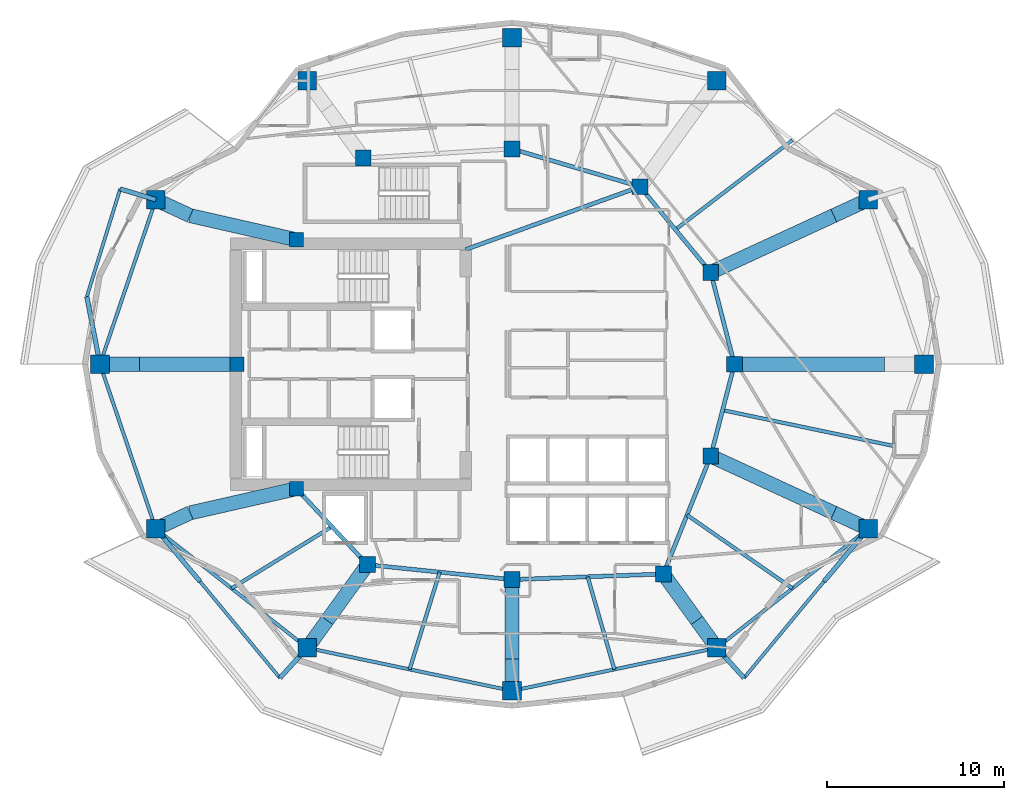
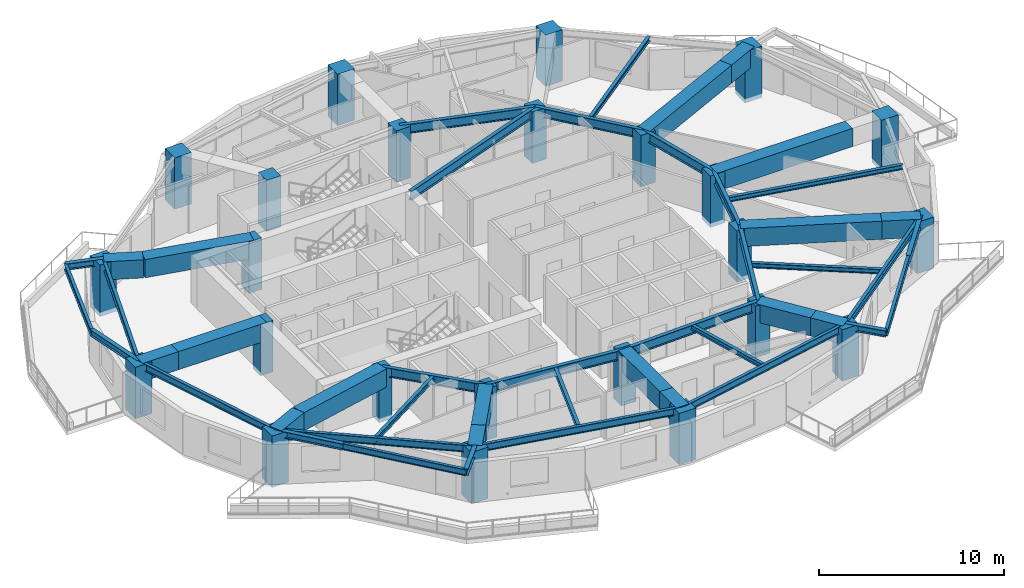
# One storey, part 1 of 12: 47 beams, 24 columns.
"""IFC4 building model written with IfcOpenShell, lengths in metres."""

from ifc_helpers import new_model, si_unit, direction, frame, origin, origin_2d, place, context, subcontext, project, spatial, rectangle, i_section, extrude, material, material_profile, profile_set, type_object, element, save


model = new_model("IFC4")

# Units and contexts
model_context = context("Model", 3, precision=1e-05, world=origin(), true_north=direction((0.0, 1.0)))
body_context = subcontext(model_context, "Body", "Model", "MODEL_VIEW")
ifc_project = project(units=[si_unit("LENGTHUNIT", "METRE"), si_unit("AREAUNIT", "SQUARE_METRE"), si_unit("VOLUMEUNIT", "CUBIC_METRE"), si_unit("PLANEANGLEUNIT", "RADIAN"), si_unit("MASSUNIT", "GRAM", prefix="KILO")], contexts=[model_context])

# Site, building, storey
site_placement = place(None, origin())
site = spatial("IfcSite", under=ifc_project, at=site_placement, CompositionType="ELEMENT")
building_placement = place(site_placement, origin())
building = spatial("IfcBuilding", under=site, at=building_placement, Name="Kolvaren Gate Tower and Convention Centre", CompositionType="ELEMENT")
storey_placement = place(building_placement, frame((0.0, 0.0, 139.300048828125)))
storey = spatial("IfcBuildingStorey", under=building, at=storey_placement, Name="L35", CompositionType="ELEMENT", Elevation=139.300048828125)

# Columns
ifc_material_1 = material(Name="Concrete C60/75", Category="concrete")
ifc_material_profile_1 = material_profile(ifc_material_1, rectangle(XDim=1.050048828125, YDim=1.050048828125, at=origin_2d()), Name="RC-COL-1050X1050")
ifc_profile_set_1 = profile_set([ifc_material_profile_1], Name="Concrete C60/75")
column_type_1 = type_object("IfcColumnType", Name="STR-COL-RC1050", PredefinedType="COLUMN", material=ifc_profile_set_1)
for number, where, z_axis, x_axis, name in (
    (1, (53.46240234375, 27.0, -0.27001953125), (0.0, 0.0, 1.0), (1.0, 0.0, 0.0), "Tower L35 Perimeter Supercolumn TP-01"),
    (2, (50.30029296875, 36.318603515625, -0.27001953125), (0.0, 0.0, 1.0), (1.0, 0.0, 0.0), "Tower L35 Perimeter Supercolumn TP-02"),
    (3, (41.721435546875, 43.068359375, -0.27001953125), (0.0, 0.0, 1.0), (1.0, 0.0, 0.0), "Tower L35 Perimeter Supercolumn TP-03"),
    (4, (30.125, 45.5, -0.27001953125), (0.0, 0.0, 1.0), (1.0, 0.0, 0.0), "Tower L35 Perimeter Supercolumn TP-04"),
    (5, (18.52880859375, 43.068359375, -0.27001953125), (0.0, 0.0, 1.0), (1.0, 0.0, 0.0), "Tower L35 Perimeter Supercolumn TP-05"),
    (6, (9.94970703125, 36.318603515625, -0.27001953125), (0.0, 0.0, 1.0), (1.0, 0.0, 0.0), "Tower L35 Perimeter Supercolumn TP-06"),
    (7, (6.78759765625, 27.0, -0.27001953125), (0.0, 0.0, 1.0), (1.0, 0.0, 0.0), "Tower L35 Perimeter Supercolumn TP-07"),
    (8, (9.94970703125, 17.681396484375, -0.27001953125), (0.0, 0.0, 1.0), (1.0, 0.0, 0.0), "Tower L35 Perimeter Supercolumn TP-08"),
    (9, (18.528564453125, 10.931640625, -0.27001953125), (0.0, 0.0, 1.0), (1.0, 0.0, 0.0), "Tower L35 Perimeter Supercolumn TP-09"),
    (10, (30.125, 8.5, -0.27001953125), (0.0, 0.0, 1.0), (1.0, 0.0, 0.0), "Tower L35 Perimeter Supercolumn TP-10"),
    (11, (41.721435546875, 10.931640625, -0.27001953125), (0.0, 0.0, 1.0), (1.0, 0.0, 0.0), "Tower L35 Perimeter Supercolumn TP-11"),
    (12, (50.30029296875, 17.681396484375, -0.27001953125), (0.0, 0.0, 1.0), (1.0, 0.0, 0.0), "Tower L35 Perimeter Supercolumn TP-12"),
):
    element("IfcColumn", number, at=place(storey_placement, frame(where, z_axis=z_axis, x_axis=x_axis)), inside=storey, type_object=column_type_1, Name=name, PredefinedType="COLUMN", context=body_context, shape_type="SweptSolid", body=[
        extrude(rectangle(XDim=1.050048828125, YDim=1.050048828125, at=origin_2d()), origin(), (0.0, 0.0, 1.0), 3.39990234375),
    ])
ifc_material_profile_2 = material_profile(ifc_material_1, rectangle(XDim=0.89990234375, YDim=0.89990234375, at=origin_2d()), Name="RC-COL-900X900")
ifc_profile_set_2 = profile_set([ifc_material_profile_2], Name="Concrete C60/75")
column_type_2 = type_object("IfcColumnType", Name="STR-COL-RC900", PredefinedType="COLUMN", material=ifc_profile_set_2)
for number, where, z_axis, x_axis, name in (
    (13, (42.72509765625, 27.0, -0.27001953125), (0.0, 0.0, 1.0), (1.0, 0.0, 0.0), "Tower L35 Interior Column TI-01"),
    (14, (41.382080078125, 32.199462890625, -0.27001953125), (0.0, 0.0, 1.0), (1.0, 0.0, 0.0), "Tower L35 Interior Column TI-02"),
    (15, (37.381591796875, 37.054931640625, -0.27001953125), (0.0, 0.0, 1.0), (1.0, 0.0, 0.0), "Tower L35 Interior Column TI-03"),
    (16, (30.125, 39.199951171875, -0.27001953125), (0.0, 0.0, 1.0), (1.0, 0.0, 0.0), "Tower L35 Interior Column TI-04"),
    (17, (21.697998046875, 38.6767578125, -0.27001953125), (0.0, 0.0, 1.0), (1.0, 0.0, 0.0), "Tower L35 Interior Column TI-05"),
    (18, (21.93212890625, 15.647705078125, -0.27001953125), (0.0, 0.0, 1.0), (1.0, 0.0, 0.0), "Tower L35 Interior Column TI-06"),
    (19, (30.125, 14.800048828125, -0.27001953125), (0.0, 0.0, 1.0), (1.0, 0.0, 0.0), "Tower L35 Interior Column TI-07"),
    (20, (38.6982421875, 15.12060546875, -0.27001953125), (0.0, 0.0, 1.0), (1.0, 0.0, 0.0), "Tower L35 Interior Column TI-08"),
    (21, (41.382080078125, 21.800537109375, -0.27001953125), (0.0, 0.0, 1.0), (1.0, 0.0, 0.0), "Tower L35 Interior Column TI-09"),
):
    element("IfcColumn", number, at=place(storey_placement, frame(where, z_axis=z_axis, x_axis=x_axis)), inside=storey, type_object=column_type_2, Name=name, PredefinedType="COLUMN", context=body_context, shape_type="SweptSolid", body=[
        extrude(rectangle(XDim=0.89990234375, YDim=0.89990234375, at=origin_2d()), origin(), (0.0, 0.0, 1.0), 3.39990234375),
    ])
ifc_material_profile_3 = material_profile(ifc_material_1, rectangle(XDim=0.800048828125, YDim=0.800048828125, at=origin_2d()), Name="RC-COL-800X800")
ifc_profile_set_3 = profile_set([ifc_material_profile_3], Name="Concrete C60/75")
column_type_3 = type_object("IfcColumnType", Name="STR-PIL-RC800", PredefinedType="PILASTER", material=ifc_profile_set_3)
for number, where, z_axis, x_axis, name in (
    (22, (17.9140625, 34.050048828125, -0.27001953125), (0.0, 0.0, 1.0), (1.0, 0.0, 0.0), "Tower L35 Core Boundary Pilaster TC-05"),
    (23, (14.550048828125, 27.0, -0.27001953125), (0.0, 0.0, 1.0), (1.0, 0.0, 0.0), "Tower L35 Core Boundary Pilaster TC-06"),
    (24, (17.9140625, 19.949951171875, -0.27001953125), (0.0, 0.0, 1.0), (1.0, 0.0, 0.0), "Tower L35 Core Boundary Pilaster TC-07"),
):
    element("IfcColumn", number, at=place(storey_placement, frame(where, z_axis=z_axis, x_axis=x_axis)), inside=storey, type_object=column_type_3, Name=name, PredefinedType="PILASTER", context=body_context, shape_type="SweptSolid", body=[
        extrude(rectangle(XDim=0.800048828125, YDim=0.800048828125, at=origin_2d()), origin(), (0.0, 0.0, 1.0), 3.39990234375),
    ])

# Beams
ifc_material_2 = material(Name="Structural steel ASTM A992 Grade 345 MPa", Category="steel")
ifc_material_profile_4 = material_profile(ifc_material_2, i_section(OverallWidth=0.260009765625, OverallDepth=0.419921875, WebThickness=0.013427734375, FlangeThickness=0.0224609375, at=origin_2d()), Name="W410X132")
ifc_profile_set_4 = profile_set([ifc_material_profile_4], Name="Structural steel ASTM A992 Grade 345 MPa")
beam_type_1 = type_object("IfcBeamType", Name="STR-BM-W410X132", PredefinedType="BEAM", material=ifc_profile_set_4)
beam_1_placement = place(storey_placement, frame((9.94970703125, 36.318603515625, 2.92041015625), z_axis=(-0.956945492559, 0.290267676932, 0.0), x_axis=(-0.290267676932, -0.956945492559, 0.0)))
element("IfcBeam", 25, at=beam_1_placement, inside=storey, type_object=beam_type_1, Name="Tower L36 Planted Balcony Outrigger Cantilever BC-2A", PredefinedType="BEAM", context=body_context, shape_type="SweptSolid", body=[
    extrude(i_section(OverallWidth=0.260009765625, OverallDepth=0.419921875, WebThickness=0.013427734375, FlangeThickness=0.0224609375, at=origin_2d()), origin(), (0.0, 0.0, 1.0), 2.108642578125),
])
for number, where, z_axis, x_axis, name in (
    (26, (6.78759765625, 27.0, 2.92041015625), (-0.191057318066, 0.981578881809, 0.0), (-0.981578881809, -0.191057318066, 0.0), "Tower L36 Planted Balcony Outrigger Cantilever BC-2B"),
    (27, (9.94970703125, 17.681396484375, 2.92041015625), (0.642343120753, -0.766417193975, 0.0), (0.766417193975, 0.642343120753, 0.0), "Tower L36 Planted Balcony Outrigger Cantilever BC-3A"),
):
    element("IfcBeam", number, at=place(storey_placement, frame(where, z_axis=z_axis, x_axis=x_axis)), inside=storey, type_object=beam_type_1, Name=name, PredefinedType="BEAM", context=body_context, shape_type="SweptSolid", body=[
        extrude(i_section(OverallWidth=0.260009765625, OverallDepth=0.419921875, WebThickness=0.013427734375, FlangeThickness=0.0224609375, at=origin_2d()), origin(), (0.0, 0.0, 1.0), 3.89990234375),
    ])
for number, where, z_axis, x_axis, name in (
    (28, (18.528564453125, 10.931640625, 2.92041015625), (-0.673596981718, -0.739098847395, 0.0), (0.739098847395, -0.673596981718, 0.0), "Tower L36 Planted Balcony Outrigger Cantilever BC-3B"),
    (29, (41.721435546875, 10.931640625, 2.92041015625), (0.673596981718, -0.739098847395, 0.0), (0.739098847395, 0.673596981718, 0.0), "Tower L36 Planted Balcony Outrigger Cantilever BC-4A"),
):
    element("IfcBeam", number, at=place(storey_placement, frame(where, z_axis=z_axis, x_axis=x_axis)), inside=storey, type_object=beam_type_1, Name=name, PredefinedType="BEAM", context=body_context, shape_type="SweptSolid", body=[
        extrude(i_section(OverallWidth=0.260009765625, OverallDepth=0.419921875, WebThickness=0.013427734375, FlangeThickness=0.0224609375, at=origin_2d()), origin(), (0.0, 0.0, 1.0), 2.2998046875),
    ])
beam_2_placement = place(storey_placement, frame((50.30029296875, 17.681396484375, 2.92041015625), z_axis=(-0.642343120753, -0.766417193975, 0.0), x_axis=(0.766417193975, -0.642343120753, 0.0)))
element("IfcBeam", 30, at=beam_2_placement, inside=storey, type_object=beam_type_1, Name="Tower L36 Planted Balcony Outrigger Cantilever BC-4B", PredefinedType="BEAM", context=body_context, shape_type="SweptSolid", body=[
    extrude(i_section(OverallWidth=0.260009765625, OverallDepth=0.419921875, WebThickness=0.013427734375, FlangeThickness=0.0224609375, at=origin_2d()), origin(), (0.0, 0.0, 1.0), 3.89990234375),
])
ifc_material_profile_5 = material_profile(ifc_material_2, i_section(OverallWidth=0.22998046875, OverallDepth=0.616943359375, WebThickness=0.01318359375, FlangeThickness=0.022216796875, at=origin_2d()), Name="W610X140")
ifc_profile_set_5 = profile_set([ifc_material_profile_5], Name="Structural steel ASTM A992 Grade 345 MPa")
beam_type_2 = type_object("IfcBeamType", Name="STR-BM-W610X140", PredefinedType="BEAM", material=ifc_profile_set_5)
beam_3_placement = place(storey_placement, frame((42.72509765625, 27.0, 2.821533203125), z_axis=(-0.250091133936, -0.968222301296, 0.0), x_axis=(0.968222301296, -0.250091133936, 0.0)))
element("IfcBeam", 31, at=beam_3_placement, inside=storey, type_object=beam_type_2, Name="Tower L35 Primary Ring Girder G-01", PredefinedType="BEAM", context=body_context, shape_type="SweptSolid", body=[
    extrude(i_section(OverallWidth=0.22998046875, OverallDepth=0.616943359375, WebThickness=0.01318359375, FlangeThickness=0.022216796875, at=origin_2d()), origin(), (0.0, 0.0, 1.0), 5.3701171875),
])
beam_4_placement = place(storey_placement, frame((41.382080078125, 32.199462890625, 2.821533203125), z_axis=(-0.635884066011, 0.771784590798, 0.0), x_axis=(-0.771784590798, -0.635884066011, 0.0)))
element("IfcBeam", 32, at=beam_4_placement, inside=storey, type_object=beam_type_2, Name="Tower L35 Primary Ring Girder G-02", PredefinedType="BEAM", context=body_context, shape_type="SweptSolid", body=[
    extrude(i_section(OverallWidth=0.22998046875, OverallDepth=0.616943359375, WebThickness=0.01318359375, FlangeThickness=0.022216796875, at=origin_2d()), origin(), (0.0, 0.0, 1.0), 6.291259765625),
])
beam_5_placement = place(storey_placement, frame((37.381591796875, 37.054931640625, 2.821533203125), z_axis=(-0.958980837827, 0.283470902706, 0.0), x_axis=(-0.283470902706, -0.958980837827, 0.0)))
element("IfcBeam", 33, at=beam_5_placement, inside=storey, type_object=beam_type_2, Name="Tower L35 Primary Ring Girder G-03", PredefinedType="BEAM", context=body_context, shape_type="SweptSolid", body=[
    extrude(i_section(OverallWidth=0.22998046875, OverallDepth=0.616943359375, WebThickness=0.01318359375, FlangeThickness=0.022216796875, at=origin_2d()), origin(), (0.0, 0.0, 1.0), 7.56689453125),
])
beam_6_placement = place(storey_placement, frame((17.9140625, 19.949951171875, 2.821533203125), z_axis=(0.682557592987, -0.730831808459, 0.0), x_axis=(0.730831808459, 0.682557592987, 0.0)))
element("IfcBeam", 34, at=beam_6_placement, inside=storey, type_object=beam_type_2, Name="Tower L35 Primary Ring Girder G-06", PredefinedType="BEAM", context=body_context, shape_type="SweptSolid", body=[
    extrude(i_section(OverallWidth=0.22998046875, OverallDepth=0.616943359375, WebThickness=0.01318359375, FlangeThickness=0.022216796875, at=origin_2d()), origin(), (0.0, 0.0, 1.0), 5.88671875),
])
beam_7_placement = place(storey_placement, frame((21.93212890625, 15.647705078125, 2.821533203125), z_axis=(0.994690329115, -0.102913308978, 0.0), x_axis=(0.102913308978, 0.994690329115, 0.0)))
element("IfcBeam", 35, at=beam_7_placement, inside=storey, type_object=beam_type_2, Name="Tower L35 Primary Ring Girder G-07", PredefinedType="BEAM", context=body_context, shape_type="SweptSolid", body=[
    extrude(i_section(OverallWidth=0.22998046875, OverallDepth=0.616943359375, WebThickness=0.01318359375, FlangeThickness=0.022216796875, at=origin_2d()), origin(), (0.0, 0.0, 1.0), 8.236572265625),
])
beam_8_placement = place(storey_placement, frame((30.125, 14.800048828125, 2.821533203125), z_axis=(0.999301712453, 0.037364254142, 0.0), x_axis=(-0.037364254142, 0.999301712453, 0.0)))
element("IfcBeam", 36, at=beam_8_placement, inside=storey, type_object=beam_type_2, Name="Tower L35 Primary Ring Girder G-08", PredefinedType="BEAM", context=body_context, shape_type="SweptSolid", body=[
    extrude(i_section(OverallWidth=0.22998046875, OverallDepth=0.616943359375, WebThickness=0.01318359375, FlangeThickness=0.022216796875, at=origin_2d()), origin(), (0.0, 0.0, 1.0), 8.579345703125),
])
beam_9_placement = place(storey_placement, frame((38.6982421875, 15.12060546875, 2.821533203125), z_axis=(0.372811100169, 0.927907260232, 0.0), x_axis=(-0.927907260232, 0.372811100169, 0.0)))
element("IfcBeam", 37, at=beam_9_placement, inside=storey, type_object=beam_type_2, Name="Tower L35 Primary Ring Girder G-09", PredefinedType="BEAM", context=body_context, shape_type="SweptSolid", body=[
    extrude(i_section(OverallWidth=0.22998046875, OverallDepth=0.616943359375, WebThickness=0.01318359375, FlangeThickness=0.022216796875, at=origin_2d()), origin(), (0.0, 0.0, 1.0), 7.198974609375),
])
beam_10_placement = place(storey_placement, frame((27.5, 33.5, 2.821533203125), z_axis=(0.940961479908, 0.338513653093, 0.0), x_axis=(-0.338513653093, 0.940961479908, 0.0)))
element("IfcBeam", 38, at=beam_10_placement, inside=storey, type_object=beam_type_2, Name="Tower L35 Primary Ring Girder G-10", PredefinedType="BEAM", context=body_context, shape_type="SweptSolid", body=[
    extrude(i_section(OverallWidth=0.22998046875, OverallDepth=0.616943359375, WebThickness=0.01318359375, FlangeThickness=0.022216796875, at=origin_2d()), origin(), (0.0, 0.0, 1.0), 10.501708984375),
])
beam_11_placement = place(storey_placement, frame((42.72509765625, 27.0, 2.821533203125), z_axis=(-0.250091133936, 0.968222301296, 0.0), x_axis=(-0.968222301296, -0.250091133936, 0.0)))
element("IfcBeam", 39, at=beam_11_placement, inside=storey, type_object=beam_type_2, Name="Tower L35 Primary Ring Girder G-12", PredefinedType="BEAM", context=body_context, shape_type="SweptSolid", body=[
    extrude(i_section(OverallWidth=0.22998046875, OverallDepth=0.616943359375, WebThickness=0.01318359375, FlangeThickness=0.022216796875, at=origin_2d()), origin(), (0.0, 0.0, 1.0), 5.3701171875),
])
ifc_material_profile_6 = material_profile(ifc_material_2, i_section(OverallWidth=0.205078125, OverallDepth=0.31005859375, WebThickness=0.009521484375, FlangeThickness=0.016357421875, at=origin_2d()), Name="W310X74")
ifc_profile_set_6 = profile_set([ifc_material_profile_6], Name="Structural steel ASTM A992 Grade 345 MPa")
beam_type_3 = type_object("IfcBeamType", Name="STR-JS-W310X74", PredefinedType="JOIST", material=ifc_profile_set_6)
beam_12_placement = place(storey_placement, frame((39.3818359375, 34.627197265625, 2.974853515625), z_axis=(0.79454218325, 0.607208958297, 0.0), x_axis=(-0.607208958297, 0.79454218325, 0.0)))
element("IfcBeam", 40, at=beam_12_placement, inside=storey, type_object=beam_type_3, Name="Tower L35 Secondary Composite Floor Joist J-02.1", PredefinedType="JOIST", context=body_context, shape_type="SweptSolid", body=[
    extrude(i_section(OverallWidth=0.205078125, OverallDepth=0.31005859375, WebThickness=0.009521484375, FlangeThickness=0.016357421875, at=origin_2d()), origin(), (0.0, 0.0, 1.0), 8.34326171875),
])
beam_13_placement = place(storey_placement, frame((19.923095703125, 17.798828125, 2.974853515625), z_axis=(-0.852013723702, -0.523519450091, 0.0), x_axis=(0.523519450091, -0.852013723702, 0.0)))
element("IfcBeam", 41, at=beam_13_placement, inside=storey, type_object=beam_type_3, Name="Tower L35 Secondary Composite Floor Joist J-08.1", PredefinedType="JOIST", context=body_context, shape_type="SweptSolid", body=[
    extrude(i_section(OverallWidth=0.205078125, OverallDepth=0.31005859375, WebThickness=0.009521484375, FlangeThickness=0.016357421875, at=origin_2d()), origin(), (0.0, 0.0, 1.0), 6.671142578125),
])
beam_14_placement = place(storey_placement, frame((26.028564453125, 15.223876953125, 2.974853515625), z_axis=(-0.295174836894, -0.95544325612, 0.0), x_axis=(0.95544325612, -0.295174836894, 0.0)))
element("IfcBeam", 42, at=beam_14_placement, inside=storey, type_object=beam_type_3, Name="Tower L35 Secondary Composite Floor Joist J-09.1", PredefinedType="JOIST", context=body_context, shape_type="SweptSolid", body=[
    extrude(i_section(OverallWidth=0.205078125, OverallDepth=0.31005859375, WebThickness=0.009521484375, FlangeThickness=0.016357421875, at=origin_2d()), origin(), (0.0, 0.0, 1.0), 5.764892578125),
])
beam_15_placement = place(storey_placement, frame((34.41162109375, 14.960205078125, 2.974853515625), z_axis=(0.27693589933, -0.960888395009, 0.0), x_axis=(0.960888395009, 0.27693589933, 0.0)))
element("IfcBeam", 43, at=beam_15_placement, inside=storey, type_object=beam_type_3, Name="Tower L35 Secondary Composite Floor Joist J-10.1", PredefinedType="JOIST", context=body_context, shape_type="SweptSolid", body=[
    extrude(i_section(OverallWidth=0.205078125, OverallDepth=0.31005859375, WebThickness=0.009521484375, FlangeThickness=0.016357421875, at=origin_2d()), origin(), (0.0, 0.0, 1.0), 5.457763671875),
])
beam_16_placement = place(storey_placement, frame((40.040283203125, 18.46044921875, 2.974853515625), z_axis=(0.820871677882, -0.571112675792, 0.0), x_axis=(0.571112675792, 0.820871677882, 0.0)))
element("IfcBeam", 44, at=beam_16_placement, inside=storey, type_object=beam_type_3, Name="Tower L35 Secondary Composite Floor Joist J-11.1", PredefinedType="JOIST", context=body_context, shape_type="SweptSolid", body=[
    extrude(i_section(OverallWidth=0.205078125, OverallDepth=0.31005859375, WebThickness=0.009521484375, FlangeThickness=0.016357421875, at=origin_2d()), origin(), (0.0, 0.0, 1.0), 7.273681640625),
])
beam_17_placement = place(storey_placement, frame((42.0537109375, 24.400146484375, 2.974853515625), z_axis=(0.978743091795, -0.205090127175, 0.0), x_axis=(0.205090127175, 0.978743091795, 0.0)))
element("IfcBeam", 45, at=beam_17_placement, inside=storey, type_object=beam_type_3, Name="Tower L35 Secondary Composite Floor Joist J-12.1", PredefinedType="JOIST", context=body_context, shape_type="SweptSolid", body=[
    extrude(i_section(OverallWidth=0.205078125, OverallDepth=0.31005859375, WebThickness=0.009521484375, FlangeThickness=0.016357421875, at=origin_2d()), origin(), (0.0, 0.0, 1.0), 10.041015625),
])
ifc_material_profile_7 = material_profile(ifc_material_2, i_section(OverallWidth=0.180908203125, OverallDepth=0.4169921875, WebThickness=0.010986328125, FlangeThickness=0.018310546875, at=origin_2d()), Name="W410X85")
ifc_profile_set_7 = profile_set([ifc_material_profile_7], Name="Structural steel ASTM A992 Grade 345 MPa")
beam_type_4 = type_object("IfcBeamType", Name="STR-SP-W410X85", PredefinedType="SPANDREL", material=ifc_profile_set_7)
beam_18_placement = place(storey_placement, frame((7.931884765625, 36.9306640625, 2.921875), z_axis=(-0.295758460142, -0.955262756133, 0.0), x_axis=(0.955262756133, -0.295758460142, 0.0)))
element("IfcBeam", 46, at=beam_18_placement, inside=storey, type_object=beam_type_4, Name="Tower L36 Planted Balcony Header Tie Beam BT-2", PredefinedType="SPANDREL", context=body_context, shape_type="SweptSolid", body=[
    extrude(i_section(OverallWidth=0.180908203125, OverallDepth=0.4169921875, WebThickness=0.010986328125, FlangeThickness=0.018310546875, at=origin_2d()), origin(), (0.0, 0.0, 1.0), 6.388427734375),
])
for number, where, z_axis, x_axis, name in (
    (47, (12.454833984375, 14.6923828125, 2.921875), (0.638041776942, -0.77000174732, 0.0), (0.77000174732, 0.638041776942, 0.0), "Tower L36 Planted Balcony Header Tie Beam BT-3"),
    (48, (43.2705078125, 9.23193359375, 2.921875), (0.638041776942, 0.77000174732, 0.0), (-0.77000174732, 0.638041776942, 0.0), "Tower L36 Planted Balcony Header Tie Beam BT-4"),
):
    element("IfcBeam", number, at=place(storey_placement, frame(where, z_axis=z_axis, x_axis=x_axis)), inside=storey, type_object=beam_type_4, Name=name, PredefinedType="SPANDREL", context=body_context, shape_type="SweptSolid", body=[
        extrude(i_section(OverallWidth=0.180908203125, OverallDepth=0.4169921875, WebThickness=0.010986328125, FlangeThickness=0.018310546875, at=origin_2d()), origin(), (0.0, 0.0, 1.0), 7.091552734375),
    ])
ifc_material_profile_8 = material_profile(ifc_material_2, i_section(OverallWidth=0.194091796875, OverallDepth=0.468994140625, WebThickness=0.0126953125, FlangeThickness=0.0205078125, at=origin_2d()), Name="W460X106")
ifc_profile_set_8 = profile_set([ifc_material_profile_8], Name="Structural steel ASTM A992 Grade 345 MPa")
beam_type_5 = type_object("IfcBeamType", Name="STR-SP-W460X106", PredefinedType="SPANDREL", material=ifc_profile_set_8)
for number, where, z_axis, x_axis, name in (
    (49, (9.94970703125, 36.318603515625, 2.8955078125), (-0.321336471485, -0.946965084939, 0.0), (0.946965084939, -0.321336471485, 0.0), "Tower L35 Perimeter Spandrel Beam SP-06"),
    (50, (6.78759765625, 27.0, 2.8955078125), (0.321336471485, -0.946965084939, 0.0), (0.946965084939, 0.321336471485, 0.0), "Tower L35 Perimeter Spandrel Beam SP-07"),
):
    element("IfcBeam", number, at=place(storey_placement, frame(where, z_axis=z_axis, x_axis=x_axis)), inside=storey, type_object=beam_type_5, Name=name, PredefinedType="SPANDREL", context=body_context, shape_type="SweptSolid", body=[
        extrude(i_section(OverallWidth=0.194091796875, OverallDepth=0.468994140625, WebThickness=0.0126953125, FlangeThickness=0.0205078125, at=origin_2d()), origin(), (0.0, 0.0, 1.0), 9.840576171875),
    ])
beam_19_placement = place(storey_placement, frame((9.94970703125, 17.681396484375, 2.8955078125), z_axis=(0.785907610354, -0.618343939881, 0.0), x_axis=(0.618343939881, 0.785907610354, 0.0)))
element("IfcBeam", 51, at=beam_19_placement, inside=storey, type_object=beam_type_5, Name="Tower L35 Perimeter Spandrel Beam SP-08", PredefinedType="SPANDREL", context=body_context, shape_type="SweptSolid", body=[
    extrude(i_section(OverallWidth=0.194091796875, OverallDepth=0.468994140625, WebThickness=0.0126953125, FlangeThickness=0.0205078125, at=origin_2d()), origin(), (0.0, 0.0, 1.0), 10.915771484375),
])
for number, where, z_axis, x_axis, name in (
    (52, (18.528564453125, 10.931640625, 2.8955078125), (0.978714746947, -0.205225349578, 0.0), (0.205225349578, 0.978714746947, 0.0), "Tower L35 Perimeter Spandrel Beam SP-09"),
    (53, (30.125, 8.5, 2.8955078125), (0.978714746947, 0.205225349578, 0.0), (-0.205225349578, 0.978714746947, 0.0), "Tower L35 Perimeter Spandrel Beam SP-10"),
):
    element("IfcBeam", number, at=place(storey_placement, frame(where, z_axis=z_axis, x_axis=x_axis)), inside=storey, type_object=beam_type_5, Name=name, PredefinedType="SPANDREL", context=body_context, shape_type="SweptSolid", body=[
        extrude(i_section(OverallWidth=0.194091796875, OverallDepth=0.468994140625, WebThickness=0.0126953125, FlangeThickness=0.0205078125, at=origin_2d()), origin(), (0.0, 0.0, 1.0), 11.8486328125),
    ])
beam_20_placement = place(storey_placement, frame((41.721435546875, 10.931640625, 2.8955078125), z_axis=(0.785907610354, 0.618343939881, 0.0), x_axis=(-0.618343939881, 0.785907610354, 0.0)))
element("IfcBeam", 54, at=beam_20_placement, inside=storey, type_object=beam_type_5, Name="Tower L35 Perimeter Spandrel Beam SP-11", PredefinedType="SPANDREL", context=body_context, shape_type="SweptSolid", body=[
    extrude(i_section(OverallWidth=0.194091796875, OverallDepth=0.468994140625, WebThickness=0.0126953125, FlangeThickness=0.0205078125, at=origin_2d()), origin(), (0.0, 0.0, 1.0), 10.915771484375),
])
ifc_material_3 = material(Name="Concrete C70/85", Category="concrete")
ifc_material_profile_9 = material_profile(ifc_material_3, rectangle(XDim=0.800048828125, YDim=1.199951171875, at=origin_2d()), Name="RC-BM-800X1200")
ifc_profile_set_9 = profile_set([ifc_material_profile_9], Name="Concrete C70/85")
beam_type_6 = type_object("IfcBeamType", Name="STR-TG-RC800X1200", PredefinedType="USERDEFINED", material=ifc_profile_set_9)
beam_21_placement = place(storey_placement, frame((42.72509765625, 27.0, 2.530517578125), z_axis=(1.0, 0.0, 0.0), x_axis=(0.0, 1.0, 0.0)))
element("IfcBeam", 55, at=beam_21_placement, inside=storey, type_object=beam_type_6, Name="Tower L35 Zone-Transition Radial Transfer Girder XFG-01A", ObjectType="TRANSFER GIRDER", PredefinedType="USERDEFINED", context=body_context, shape_type="SweptSolid", body=[
    extrude(rectangle(XDim=0.800048828125, YDim=1.199951171875, at=origin_2d()), origin(), (0.0, 0.0, 1.0), 8.4873046875),
])
beam_22_placement = place(storey_placement, frame((41.382080078125, 32.199462890625, 2.530517578125), z_axis=(0.907838349939, 0.419320319542, 0.0), x_axis=(-0.419320319542, 0.907838349939, 0.0)))
element("IfcBeam", 56, at=beam_22_placement, inside=storey, type_object=beam_type_6, Name="Tower L35 Zone-Transition Radial Transfer Girder XFG-02A", ObjectType="TRANSFER GIRDER", PredefinedType="USERDEFINED", context=body_context, shape_type="SweptSolid", body=[
    extrude(rectangle(XDim=0.800048828125, YDim=1.199951171875, at=origin_2d()), origin(), (0.0, 0.0, 1.0), 7.67724609375),
])
beam_23_placement = place(storey_placement, frame((48.351806640625, 35.418701171875, 2.530517578125), z_axis=(0.907852816922, 0.419288996764, 0.0), x_axis=(-0.419288996764, 0.907852816922, 0.0)))
element("IfcBeam", 57, at=beam_23_placement, inside=storey, type_object=beam_type_6, Name="Tower L35 Zone-Transition Radial Transfer Girder XFG-02B", ObjectType="TRANSFER GIRDER", PredefinedType="USERDEFINED", context=body_context, shape_type="SweptSolid", body=[
    extrude(rectangle(XDim=0.800048828125, YDim=1.199951171875, at=origin_2d()), origin(), (0.0, 0.0, 1.0), 2.146240234375),
])
beam_24_placement = place(storey_placement, frame((17.9140625, 34.050048828125, 2.530517578125), z_axis=(-0.975083464295, 0.221838314226, 0.0), x_axis=(-0.221838314226, -0.975083464295, 0.0)))
element("IfcBeam", 58, at=beam_24_placement, inside=storey, type_object=beam_type_6, Name="Tower L35 Zone-Transition Radial Transfer Girder XFG-06A", ObjectType="TRANSFER GIRDER", PredefinedType="USERDEFINED", context=body_context, shape_type="SweptSolid", body=[
    extrude(rectangle(XDim=0.800048828125, YDim=1.199951171875, at=origin_2d()), origin(), (0.0, 0.0, 1.0), 6.169677734375),
])
beam_25_placement = place(storey_placement, frame((11.898193359375, 35.418701171875, 2.530517578125), z_axis=(-0.907852816922, 0.419288996764, 0.0), x_axis=(-0.419288996764, -0.907852816922, 0.0)))
element("IfcBeam", 59, at=beam_25_placement, inside=storey, type_object=beam_type_6, Name="Tower L35 Zone-Transition Radial Transfer Girder XFG-06B", ObjectType="TRANSFER GIRDER", PredefinedType="USERDEFINED", context=body_context, shape_type="SweptSolid", body=[
    extrude(rectangle(XDim=0.800048828125, YDim=1.199951171875, at=origin_2d()), origin(), (0.0, 0.0, 1.0), 2.146240234375),
])
beam_26_placement = place(storey_placement, frame((14.550048828125, 27.0, 2.530517578125), z_axis=(-1.0, 0.0, 0.0), x_axis=(0.0, -1.0, 0.0)))
element("IfcBeam", 60, at=beam_26_placement, inside=storey, type_object=beam_type_6, Name="Tower L35 Zone-Transition Radial Transfer Girder XFG-07A", ObjectType="TRANSFER GIRDER", PredefinedType="USERDEFINED", context=body_context, shape_type="SweptSolid", body=[
    extrude(rectangle(XDim=0.800048828125, YDim=1.199951171875, at=origin_2d()), origin(), (0.0, 0.0, 1.0), 5.512451171875),
])
beam_27_placement = place(storey_placement, frame((9.03759765625, 27.0, 2.530517578125), z_axis=(-1.0, 0.0, 0.0), x_axis=(0.0, -1.0, 0.0)))
element("IfcBeam", 61, at=beam_27_placement, inside=storey, type_object=beam_type_6, Name="Tower L35 Zone-Transition Radial Transfer Girder XFG-07B", ObjectType="TRANSFER GIRDER", PredefinedType="USERDEFINED", context=body_context, shape_type="SweptSolid", body=[
    extrude(rectangle(XDim=0.800048828125, YDim=1.199951171875, at=origin_2d()), origin(), (0.0, 0.0, 1.0), 2.25),
])
beam_28_placement = place(storey_placement, frame((17.9140625, 19.949951171875, 2.530517578125), z_axis=(-0.975083464295, -0.221838314226, 0.0), x_axis=(0.221838314226, -0.975083464295, 0.0)))
element("IfcBeam", 62, at=beam_28_placement, inside=storey, type_object=beam_type_6, Name="Tower L35 Zone-Transition Radial Transfer Girder XFG-08A", ObjectType="TRANSFER GIRDER", PredefinedType="USERDEFINED", context=body_context, shape_type="SweptSolid", body=[
    extrude(rectangle(XDim=0.800048828125, YDim=1.199951171875, at=origin_2d()), origin(), (0.0, 0.0, 1.0), 6.169677734375),
])
beam_29_placement = place(storey_placement, frame((11.898193359375, 18.581298828125, 2.530517578125), z_axis=(-0.907852816922, -0.419288996764, 0.0), x_axis=(0.419288996764, -0.907852816922, 0.0)))
element("IfcBeam", 63, at=beam_29_placement, inside=storey, type_object=beam_type_6, Name="Tower L35 Zone-Transition Radial Transfer Girder XFG-08B", ObjectType="TRANSFER GIRDER", PredefinedType="USERDEFINED", context=body_context, shape_type="SweptSolid", body=[
    extrude(rectangle(XDim=0.800048828125, YDim=1.199951171875, at=origin_2d()), origin(), (0.0, 0.0, 1.0), 2.146240234375),
])
beam_30_placement = place(storey_placement, frame((21.93212890625, 15.647705078125, 2.530517578125), z_axis=(-0.585211215329, -0.810880899672, 0.0), x_axis=(0.810880899672, -0.585211215329, 0.0)))
element("IfcBeam", 64, at=beam_30_placement, inside=storey, type_object=beam_type_6, Name="Tower L35 Zone-Transition Radial Transfer Girder XFG-09A", ObjectType="TRANSFER GIRDER", PredefinedType="USERDEFINED", context=body_context, shape_type="SweptSolid", body=[
    extrude(rectangle(XDim=0.800048828125, YDim=1.199951171875, at=origin_2d()), origin(), (0.0, 0.0, 1.0), 3.8935546875),
])
beam_31_placement = place(storey_placement, frame((19.653564453125, 12.490478515625, 2.530517578125), z_axis=(-0.585207670307, -0.810883458096, 0.0), x_axis=(0.810883458096, -0.585207670307, 0.0)))
element("IfcBeam", 65, at=beam_31_placement, inside=storey, type_object=beam_type_6, Name="Tower L35 Zone-Transition Radial Transfer Girder XFG-09B", ObjectType="TRANSFER GIRDER", PredefinedType="USERDEFINED", context=body_context, shape_type="SweptSolid", body=[
    extrude(rectangle(XDim=0.800048828125, YDim=1.199951171875, at=origin_2d()), origin(), (0.0, 0.0, 1.0), 1.92236328125),
])
beam_32_placement = place(storey_placement, frame((30.125, 14.800048828125, 2.530517578125), z_axis=(0.0, -1.0, 0.0), x_axis=(1.0, 0.0, 0.0)))
element("IfcBeam", 66, at=beam_32_placement, inside=storey, type_object=beam_type_6, Name="Tower L35 Zone-Transition Radial Transfer Girder XFG-10A", ObjectType="TRANSFER GIRDER", PredefinedType="USERDEFINED", context=body_context, shape_type="SweptSolid", body=[
    extrude(rectangle(XDim=0.800048828125, YDim=1.199951171875, at=origin_2d()), origin(), (0.0, 0.0, 1.0), 4.5),
])
beam_33_placement = place(storey_placement, frame((30.125, 10.300048828125, 2.530517578125), z_axis=(0.0, -1.0, 0.0), x_axis=(1.0, 0.0, 0.0)))
element("IfcBeam", 67, at=beam_33_placement, inside=storey, type_object=beam_type_6, Name="Tower L35 Zone-Transition Radial Transfer Girder XFG-10B", ObjectType="TRANSFER GIRDER", PredefinedType="USERDEFINED", context=body_context, shape_type="SweptSolid", body=[
    extrude(rectangle(XDim=0.800048828125, YDim=1.199951171875, at=origin_2d()), origin(), (0.0, 0.0, 1.0), 1.800048828125),
])
beam_34_placement = place(storey_placement, frame((38.6982421875, 15.12060546875, 2.530517578125), z_axis=(0.58521845229, -0.810875676722, 0.0), x_axis=(0.810875676722, 0.58521845229, 0.0)))
element("IfcBeam", 68, at=beam_34_placement, inside=storey, type_object=beam_type_6, Name="Tower L35 Zone-Transition Radial Transfer Girder XFG-11A", ObjectType="TRANSFER GIRDER", PredefinedType="USERDEFINED", context=body_context, shape_type="SweptSolid", body=[
    extrude(rectangle(XDim=0.800048828125, YDim=1.199951171875, at=origin_2d()), origin(), (0.0, 0.0, 1.0), 3.24365234375),
])
beam_35_placement = place(storey_placement, frame((40.596435546875, 12.490478515625, 2.530517578125), z_axis=(0.585207670307, -0.810883458096, 0.0), x_axis=(0.810883458096, 0.585207670307, 0.0)))
element("IfcBeam", 69, at=beam_35_placement, inside=storey, type_object=beam_type_6, Name="Tower L35 Zone-Transition Radial Transfer Girder XFG-11B", ObjectType="TRANSFER GIRDER", PredefinedType="USERDEFINED", context=body_context, shape_type="SweptSolid", body=[
    extrude(rectangle(XDim=0.800048828125, YDim=1.199951171875, at=origin_2d()), origin(), (0.0, 0.0, 1.0), 1.92236328125),
])
beam_36_placement = place(storey_placement, frame((41.382080078125, 21.800537109375, 2.530517578125), z_axis=(0.907838349939, -0.419320319542, 0.0), x_axis=(0.419320319542, 0.907838349939, 0.0)))
element("IfcBeam", 70, at=beam_36_placement, inside=storey, type_object=beam_type_6, Name="Tower L35 Zone-Transition Radial Transfer Girder XFG-12A", ObjectType="TRANSFER GIRDER", PredefinedType="USERDEFINED", context=body_context, shape_type="SweptSolid", body=[
    extrude(rectangle(XDim=0.800048828125, YDim=1.199951171875, at=origin_2d()), origin(), (0.0, 0.0, 1.0), 7.67724609375),
])
beam_37_placement = place(storey_placement, frame((48.351806640625, 18.581298828125, 2.530517578125), z_axis=(0.907852816922, -0.419288996764, 0.0), x_axis=(0.419288996764, 0.907852816922, 0.0)))
element("IfcBeam", 71, at=beam_37_placement, inside=storey, type_object=beam_type_6, Name="Tower L35 Zone-Transition Radial Transfer Girder XFG-12B", ObjectType="TRANSFER GIRDER", PredefinedType="USERDEFINED", context=body_context, shape_type="SweptSolid", body=[
    extrude(rectangle(XDim=0.800048828125, YDim=1.199951171875, at=origin_2d()), origin(), (0.0, 0.0, 1.0), 2.146240234375),
])

save(model, "model.ifc")
